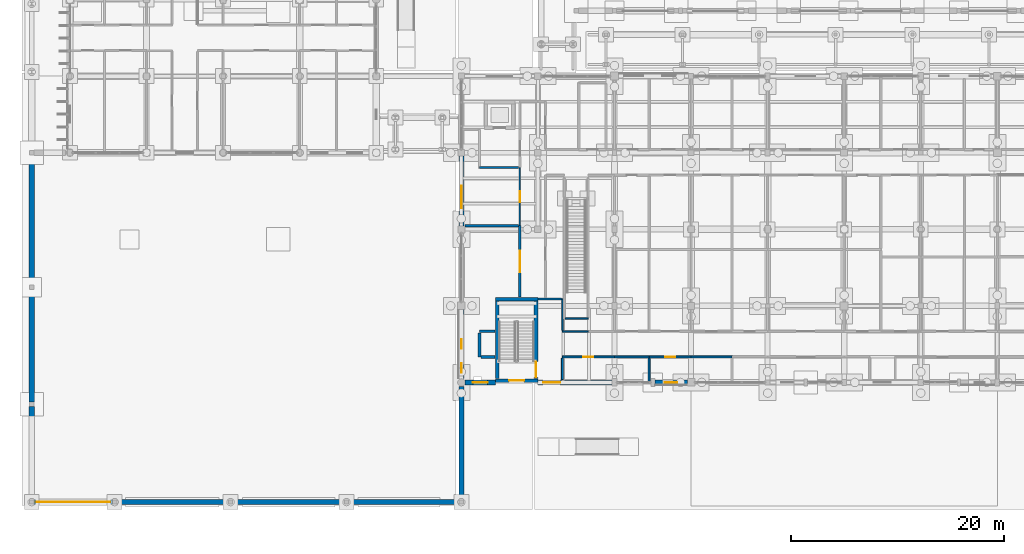
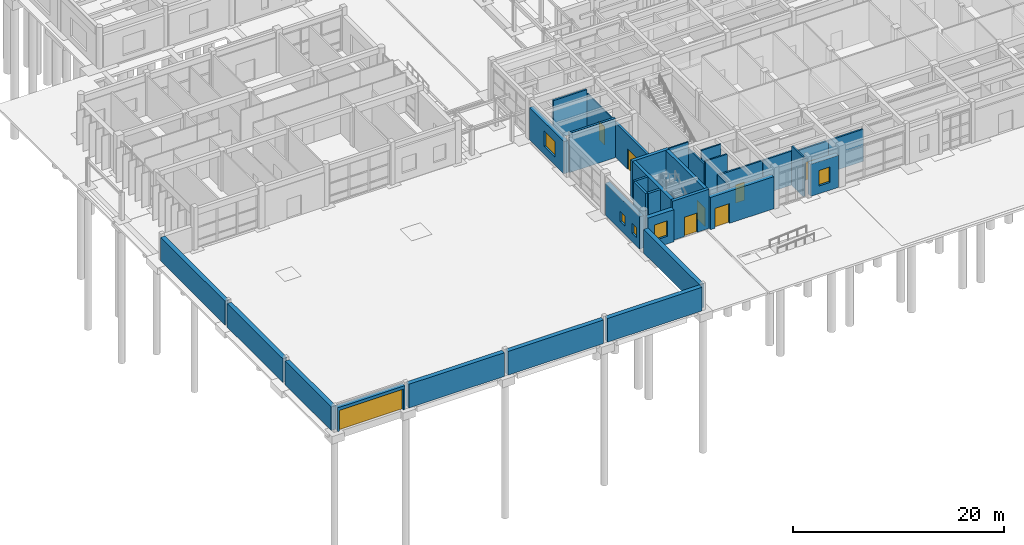
# One storey, part 94 of 143: 34 walls, 8 doors, 5 windows, 13 openings.
"""IFC4 building model written with IfcOpenShell, lengths in metres."""

from ifc_helpers import new_model, si_unit, direction, frame, frame_2d, origin, place, context, subcontext, project, spatial, rectangle, extrude, material, layer, layer_set, type_object, element, fill, save


model = new_model("IFC4")

# Units and contexts
model_context = context("Model", 3, precision=1e-05, world=origin(), true_north=direction((0.0, 1.0)))
body_context = subcontext(model_context, "Body", "Model", "MODEL_VIEW")
ifc_project = project(units=[si_unit("LENGTHUNIT", "METRE"), si_unit("AREAUNIT", "SQUARE_METRE"), si_unit("VOLUMEUNIT", "CUBIC_METRE"), si_unit("PLANEANGLEUNIT", "RADIAN"), si_unit("MASSUNIT", "GRAM", prefix="KILO")], contexts=[model_context])

# Site, building, storey
site_placement = place(None, origin())
site = spatial("IfcSite", under=ifc_project, at=site_placement, CompositionType="ELEMENT")
building_placement = place(site_placement, origin())
building = spatial("IfcBuilding", under=site, at=building_placement, Name="Steenspoor Specialist Clinic", CompositionType="ELEMENT")
storey_placement = place(building_placement, origin())
storey = spatial("IfcBuildingStorey", under=building, at=storey_placement, Name="L00", CompositionType="ELEMENT", Elevation=0.0)

# Wall, opening, window
ifc_material_1 = material(Name="Volcanic basalt ashlar masonry", Category="masonry")
ifc_layer_1 = layer(ifc_material_1, 0.47998046875)
ifc_layer_set_1 = layer_set([ifc_layer_1], Name="Volcanic basalt ashlar masonry")
wall_type_1 = type_object("IfcWallType", Name="W-BASALT-480", PredefinedType="SOLIDWALL", material=ifc_layer_set_1)
wall_1_placement = place(storey_placement, frame((66.449951171875, 13.050048828125, 0.0), z_axis=(0.0, 0.0, 1.0), x_axis=(-1.0, 0.0, 0.0)))
wall_1 = element("IfcWall", 1, at=wall_1_placement, inside=storey, type_object=wall_type_1, Name="Exterior Brick Wall EW-V1-L00-0006", PredefinedType="SOLIDWALL", context=body_context, shape_type="SweptSolid", body=[
    extrude(rectangle(XDim=3.06005859375, YDim=0.47998046875, at=frame_2d((1.530029296875, 0.0))), origin(), (0.0, 0.0, 1.0), 3.72998046875),
])
opening_1_placement = place(wall_1_placement, frame((0.929931640625, 0.0, 0.89990234375)))
opening_1 = element("IfcOpeningElement", 2, at=opening_1_placement, cuts=wall_1, Name="Opening WN-05", PredefinedType="OPENING", context=body_context, shape_type="SweptSolid", body=[
    extrude(rectangle(XDim=1.199951171875, YDim=1.800048828125, at=frame_2d((0.60009765625, 0.89990234375))), frame((0.0, 0.25, 0.0), z_axis=(0.0, -1.0, 0.0), x_axis=(1.0, 0.0, 0.0)), (0.0, 0.0, 1.0), 0.5),
])
ifc_material_2 = material(Name="Thermally broken aluminium and low-emissivity glass", Category="aluminium")
window_type_1 = type_object("IfcWindowType", Name="WN-EXT-120X180", PartitioningType="SINGLE_PANEL", PredefinedType="WINDOW", material=ifc_material_2)
window_1_placement = place(opening_1_placement, origin())
window_1 = element("IfcWindow", 3, at=window_1_placement, inside=storey, type_object=window_type_1, Name="Window 0005", OverallHeight=1.800048828125, OverallWidth=1.199951171875, PartitioningType="SINGLE_PANEL", PredefinedType="WINDOW", context=body_context, shape_type="SweptSolid", body=[
    extrude(rectangle(XDim=1.199951171875, YDim=1.800048828125, at=frame_2d((0.60009765625, 0.89990234375))), frame((0.0, 0.030029296875, 0.0), z_axis=(0.0, -1.0, 0.0), x_axis=(1.0, 0.0, 0.0)), (0.0, 0.0, 1.0), 0.06005859375),
])
fill(opening_1, window_1)

# Wall, opening, door
wall_2_placement = place(storey_placement, frame((59.35009765625, 13.050048828125, 0.0), z_axis=(0.0, 0.0, 1.0), x_axis=(-1.0, 0.0, 0.0)))
wall_2 = element("IfcWall", 4, at=wall_2_placement, inside=storey, type_object=wall_type_1, Name="Exterior Brick Wall EW-V1-L00-0007", PredefinedType="SOLIDWALL", context=body_context, shape_type="SweptSolid", body=[
    extrude(rectangle(XDim=6.9501953125, YDim=0.47998046875, at=frame_2d((3.47509765625, 0.0))), origin(), (0.0, 0.0, 1.0), 3.72998046875),
])
opening_2_placement = place(wall_2_placement, frame((4.85498046875, 0.0, 0.0)))
opening_2 = element("IfcOpeningElement", 5, at=opening_2_placement, cuts=wall_2, Name="Opening ED13", PredefinedType="OPENING", context=body_context, shape_type="SweptSolid", body=[
    extrude(rectangle(XDim=1.60009765625, YDim=2.300048828125, at=frame_2d((0.800048828125, 1.14990234375))), frame((0.0, 0.25, 0.0), z_axis=(0.0, -1.0, 0.0), x_axis=(1.0, 0.0, 0.0)), (0.0, 0.0, 1.0), 0.5),
])
ifc_material_3 = material(Name="Anodised aluminium and safety glass", Category="aluminium")
door_type_1 = type_object("IfcDoorType", Name="DT-EXIT-160X230", OperationType="NOTDEFINED", PredefinedType="DOOR", material=ifc_material_3)
door_1_placement = place(opening_2_placement, origin())
door_1 = element("IfcDoor", 6, at=door_1_placement, inside=storey, type_object=door_type_1, Name="Main Pedestrian Entrance Exit ED13", OperationType="DOUBLE_DOOR_SINGLE_SWING", OverallHeight=2.300048828125, OverallWidth=1.60009765625, PredefinedType="DOOR", context=body_context, shape_type="SweptSolid", body=[
    extrude(rectangle(XDim=1.60009765625, YDim=2.300048828125, at=frame_2d((0.800048828125, 1.14990234375))), frame((0.0, 0.02490234375, 0.0), z_axis=(0.0, -1.0, 0.0), x_axis=(1.0, 0.0, 0.0)), (0.0, 0.0, 1.0), 0.050048828125),
])
fill(opening_2, door_1)

# Wall, opening, window
wall_3_placement = place(storey_placement, frame((48.39990234375, 13.050048828125, 0.0), z_axis=(0.0, 0.0, 1.0), x_axis=(-1.0, 0.0, 0.0)))
wall_3 = element("IfcWall", 7, at=wall_3_placement, inside=storey, type_object=wall_type_1, Name="Exterior Brick Wall EW-V1-L00-0008", PredefinedType="SOLIDWALL", context=body_context, shape_type="SweptSolid", body=[
    extrude(rectangle(XDim=2.849853515625, YDim=0.47998046875, at=frame_2d((1.4248046875, 0.0))), origin(), (0.0, 0.0, 1.0), 3.72998046875),
])
opening_3_placement = place(wall_3_placement, frame((0.72509765625, 0.0, 0.89990234375)))
opening_3 = element("IfcOpeningElement", 8, at=opening_3_placement, cuts=wall_3, Name="Opening WN-06", PredefinedType="OPENING", context=body_context, shape_type="SweptSolid", body=[
    extrude(rectangle(XDim=1.39990234375, YDim=1.800048828125, at=frame_2d((0.699951171875, 0.89990234375))), frame((0.0, 0.25, 0.0), z_axis=(0.0, -1.0, 0.0), x_axis=(1.0, 0.0, 0.0)), (0.0, 0.0, 1.0), 0.5),
])
window_type_2 = type_object("IfcWindowType", Name="WN-EXT-140X180", PartitioningType="SINGLE_PANEL", PredefinedType="WINDOW", material=ifc_material_2)
window_2_placement = place(opening_3_placement, origin())
window_2 = element("IfcWindow", 9, at=window_2_placement, inside=storey, type_object=window_type_2, Name="Window 0006", OverallHeight=1.800048828125, OverallWidth=1.39990234375, PartitioningType="SINGLE_PANEL", PredefinedType="WINDOW", context=body_context, shape_type="SweptSolid", body=[
    extrude(rectangle(XDim=1.39990234375, YDim=1.800048828125, at=frame_2d((0.699951171875, 0.89990234375))), frame((0.0, 0.030029296875, 0.0), z_axis=(0.0, -1.0, 0.0), x_axis=(1.0, 0.0, 0.0)), (0.0, 0.0, 1.0), 0.06005859375),
])
fill(opening_3, window_2)

# Wall, openings, windows
wall_4_placement = place(storey_placement, frame((45.199951171875, 13.39990234375, 0.0), z_axis=(0.0, 0.0, 1.0), x_axis=(0.0, 1.0, 0.0)))
wall_4 = element("IfcWall", 10, at=wall_4_placement, inside=storey, type_object=wall_type_1, Name="Exterior Brick Wall EW-V1-L00-0009", PredefinedType="SOLIDWALL", context=body_context, shape_type="SweptSolid", body=[
    extrude(rectangle(XDim=6.5, YDim=0.47998046875, at=frame_2d((3.25, 0.0))), origin(), (0.0, 0.0, 1.0), 3.72998046875),
])
opening_4_placement = place(wall_4_placement, frame((0.56494140625, 0.0, 0.949951171875)))
opening_4 = element("IfcOpeningElement", 11, at=opening_4_placement, cuts=wall_4, Name="Opening WN-21", PredefinedType="OPENING", context=body_context, shape_type="SweptSolid", body=[
    extrude(rectangle(XDim=0.89990234375, YDim=1.199951171875, at=frame_2d((0.449951171875, 0.60009765625))), frame((0.0, 0.25, 0.0), z_axis=(0.0, -1.0, 0.0), x_axis=(1.0, 0.0, 0.0)), (0.0, 0.0, 1.0), 0.5),
])
opening_5_placement = place(wall_4_placement, frame((2.800048828125, 0.0, 0.949951171875)))
opening_5 = element("IfcOpeningElement", 12, at=opening_5_placement, cuts=wall_4, Name="Opening WN-21", PredefinedType="OPENING", context=body_context, shape_type="SweptSolid", body=[
    extrude(rectangle(XDim=0.89990234375, YDim=1.199951171875, at=frame_2d((0.449951171875, 0.60009765625))), frame((0.0, 0.25, 0.0), z_axis=(0.0, -1.0, 0.0), x_axis=(1.0, 0.0, 0.0)), (0.0, 0.0, 1.0), 0.5),
])
window_type_3 = type_object("IfcWindowType", Name="WN-EXT-090X120", PartitioningType="SINGLE_PANEL", PredefinedType="WINDOW", material=ifc_material_2)
window_3_placement = place(opening_4_placement, origin())
window_3 = element("IfcWindow", 13, at=window_3_placement, inside=storey, type_object=window_type_3, Name="Window 0007", OverallHeight=1.199951171875, OverallWidth=0.89990234375, PartitioningType="SINGLE_PANEL", PredefinedType="WINDOW", context=body_context, shape_type="SweptSolid", body=[
    extrude(rectangle(XDim=0.89990234375, YDim=1.199951171875, at=frame_2d((0.449951171875, 0.60009765625))), frame((0.0, 0.030029296875, 0.0), z_axis=(0.0, -1.0, 0.0), x_axis=(1.0, 0.0, 0.0)), (0.0, 0.0, 1.0), 0.06005859375),
])
fill(opening_4, window_3)
window_4_placement = place(opening_5_placement, origin())
window_4 = element("IfcWindow", 14, at=window_4_placement, inside=storey, type_object=window_type_3, Name="Window 0008", OverallHeight=1.199951171875, OverallWidth=0.89990234375, PartitioningType="SINGLE_PANEL", PredefinedType="WINDOW", context=body_context, shape_type="SweptSolid", body=[
    extrude(rectangle(XDim=0.89990234375, YDim=1.199951171875, at=frame_2d((0.449951171875, 0.60009765625))), frame((0.0, 0.030029296875, 0.0), z_axis=(0.0, -1.0, 0.0), x_axis=(1.0, 0.0, 0.0)), (0.0, 0.0, 1.0), 0.06005859375),
])
fill(opening_5, window_4)

# Wall, opening, window
wall_5_placement = place(storey_placement, frame((45.199951171875, 27.77490234375, 0.0), z_axis=(0.0, 0.0, 1.0), x_axis=(0.0, 1.0, 0.0)))
wall_5 = element("IfcWall", 15, at=wall_5_placement, inside=storey, type_object=wall_type_1, Name="Exterior Brick Wall EW-V1-L00-0010", PredefinedType="SOLIDWALL", context=body_context, shape_type="SweptSolid", body=[
    extrude(rectangle(XDim=6.5751953125, YDim=0.47998046875, at=frame_2d((3.28759765625, 0.0))), origin(), (0.0, 0.0, 1.0), 3.72998046875),
])
opening_6_placement = place(wall_5_placement, frame((1.677490234375, 0.0, 0.89990234375)))
opening_6 = element("IfcOpeningElement", 16, at=opening_6_placement, cuts=wall_5, Name="Opening WN-09", PredefinedType="OPENING", context=body_context, shape_type="SweptSolid", body=[
    extrude(rectangle(XDim=2.10009765625, YDim=1.800048828125, at=frame_2d((1.050048828125, 0.89990234375))), frame((0.0, 0.25, 0.0), z_axis=(0.0, -1.0, 0.0), x_axis=(1.0, 0.0, 0.0)), (0.0, 0.0, 1.0), 0.5),
])
window_type_4 = type_object("IfcWindowType", Name="WN-EXT-210X180", PartitioningType="SINGLE_PANEL", PredefinedType="WINDOW", material=ifc_material_2)
window_5_placement = place(opening_6_placement, origin())
window_5 = element("IfcWindow", 17, at=window_5_placement, inside=storey, type_object=window_type_4, Name="Window 0009", OverallHeight=1.800048828125, OverallWidth=2.10009765625, PartitioningType="SINGLE_PANEL", PredefinedType="WINDOW", context=body_context, shape_type="SweptSolid", body=[
    extrude(rectangle(XDim=2.10009765625, YDim=1.800048828125, at=frame_2d((1.050048828125, 0.89990234375))), frame((0.0, 0.030029296875, 0.0), z_axis=(0.0, -1.0, 0.0), x_axis=(1.0, 0.0, 0.0)), (0.0, 0.0, 1.0), 0.06005859375),
])
fill(opening_6, window_5)

# Walls
wall_6_placement = place(storey_placement, frame((4.800048828125, 34.43994140625, 0.0), z_axis=(0.0, 0.0, 1.0), x_axis=(0.0, -1.0, 0.0)))
element("IfcWall", 18, at=wall_6_placement, inside=storey, type_object=wall_type_1, Name="Campus Courtyard Screen Wall YW-SW-02", PredefinedType="SOLIDWALL", context=body_context, shape_type="SweptSolid", body=[
    extrude(rectangle(XDim=12.22998046875, YDim=0.47998046875, at=frame_2d((6.114990234375, 0.0))), origin(), (0.0, 0.0, 1.0), 2.75),
])
wall_7_placement = place(storey_placement, frame((4.800048828125, 21.7900390625, 0.0), z_axis=(0.0, 0.0, 1.0), x_axis=(0.0, -1.0, 0.0)))
element("IfcWall", 19, at=wall_7_placement, inside=storey, type_object=wall_type_1, Name="Campus Courtyard Screen Wall YW-SW-03", PredefinedType="SOLIDWALL", context=body_context, shape_type="SweptSolid", body=[
    extrude(rectangle(XDim=10.580078125, YDim=0.47998046875, at=frame_2d((5.2900390625, 0.0))), origin(), (0.0, 0.0, 1.0), 2.75),
])
wall_8_placement = place(storey_placement, frame((4.800048828125, 10.7900390625, 0.0), z_axis=(0.0, 0.0, 1.0), x_axis=(0.0, -1.0, 0.0)))
element("IfcWall", 20, at=wall_8_placement, inside=storey, type_object=wall_type_1, Name="Campus Courtyard Screen Wall YW-SW-04", PredefinedType="SOLIDWALL", context=body_context, shape_type="SweptSolid", body=[
    extrude(rectangle(XDim=8.780029296875, YDim=0.47998046875, at=frame_2d((4.39013671875, 0.0))), origin(), (0.0, 0.0, 1.0), 2.75),
])
for number, where, z_axis, x_axis, name in (
    (21, (12.81005859375, 1.800048828125, 0.0), (0.0, 0.0, 1.0), (1.0, 0.0, 0.0), "Campus Courtyard Screen Wall YW-SW-05"),
    (22, (23.7099609375, 1.800048828125, 0.0), (0.0, 0.0, 1.0), (1.0, 0.0, 0.0), "Campus Courtyard Screen Wall YW-SW-06"),
):
    element("IfcWall", number, at=place(storey_placement, frame(where, z_axis=z_axis, x_axis=x_axis)), inside=storey, type_object=wall_type_1, Name=name, PredefinedType="SOLIDWALL", context=body_context, shape_type="SweptSolid", body=[
        extrude(rectangle(XDim=10.47998046875, YDim=0.47998046875, at=frame_2d((5.239990234375, 0.0))), origin(), (0.0, 0.0, 1.0), 2.75),
    ])
wall_9_placement = place(storey_placement, frame((34.610107421875, 1.800048828125, 0.0), z_axis=(0.0, 0.0, 1.0), x_axis=(1.0, 0.0, 0.0)))
element("IfcWall", 23, at=wall_9_placement, inside=storey, type_object=wall_type_1, Name="Campus Courtyard Screen Wall YW-SW-07", PredefinedType="SOLIDWALL", context=body_context, shape_type="SweptSolid", body=[
    extrude(rectangle(XDim=10.3798828125, YDim=0.47998046875, at=frame_2d((5.18994140625, 0.0))), origin(), (0.0, 0.0, 1.0), 2.75),
])
wall_10_placement = place(storey_placement, frame((45.199951171875, 2.010009765625, 0.0), z_axis=(0.0, 0.0, 1.0), x_axis=(0.0, 1.0, 0.0)))
element("IfcWall", 24, at=wall_10_placement, inside=storey, type_object=wall_type_1, Name="Campus Courtyard Screen Wall YW-SW-08", PredefinedType="SOLIDWALL", context=body_context, shape_type="SweptSolid", body=[
    extrude(rectangle(XDim=10.639892578125, YDim=0.47998046875, at=frame_2d((5.31982421875, 0.0))), origin(), (0.0, 0.0, 1.0), 2.75),
])

# Wall, opening, door
wall_11_placement = place(storey_placement, frame((5.0048828125, 1.800048828125, 0.0), z_axis=(0.0, 0.0, 1.0), x_axis=(1.0, 0.0, 0.0)))
wall_11 = element("IfcWall", 25, at=wall_11_placement, inside=storey, type_object=wall_type_1, Name="Portal Basalt Wall GT01", PredefinedType="SOLIDWALL", context=body_context, shape_type="SweptSolid", body=[
    extrude(rectangle(XDim=7.39013671875, YDim=0.47998046875, at=frame_2d((3.695068359375, 0.0))), origin(), (0.0, 0.0, 1.0), 2.75),
])
opening_7_placement = place(wall_11_placement, frame((0.195068359375, 0.0, 0.0)))
opening_7 = element("IfcOpeningElement", 26, at=opening_7_placement, cuts=wall_11, Name="Opening GT01", PredefinedType="OPENING", context=body_context, shape_type="SweptSolid", body=[
    extrude(rectangle(XDim=7.0, YDim=2.39990234375, at=frame_2d((3.5, 1.199951171875))), frame((0.0, 0.25, 0.0), z_axis=(0.0, -1.0, 0.0), x_axis=(1.0, 0.0, 0.0)), (0.0, 0.0, 1.0), 0.5),
])
ifc_material_4 = material(Name="Painted wrought-iron steel gate", Category="steel")
door_type_2 = type_object("IfcDoorType", Name="DT-GATE-700X240", OperationType="NOTDEFINED", PredefinedType="GATE", material=ifc_material_4)
door_2_placement = place(opening_7_placement, origin())
door_2 = element("IfcDoor", 27, at=door_2_placement, inside=storey, type_object=door_type_2, Name="Vehicle Entrance Gate GT01", OperationType="DOUBLE_DOOR_SINGLE_SWING", OverallHeight=2.39990234375, OverallWidth=7.0, PredefinedType="GATE", context=body_context, shape_type="SweptSolid", body=[
    extrude(rectangle(XDim=7.0, YDim=2.39990234375, at=frame_2d((3.5, 1.199951171875))), frame((0.0, 0.02490234375, 0.0), z_axis=(0.0, -1.0, 0.0), x_axis=(1.0, 0.0, 0.0)), (0.0, 0.0, 1.0), 0.050048828125),
])
fill(opening_7, door_2)

# Walls
ifc_material_5 = material(Name="Gypsum acoustic clinical partition", Category="gypsum")
ifc_layer_2 = layer(ifc_material_5, 0.14990234375)
ifc_layer_set_2 = layer_set([ifc_layer_2], Name="Gypsum acoustic clinical partition")
wall_type_2 = type_object("IfcWallType", Name="W-CLIN-150", PredefinedType="PARTITIONING", material=ifc_layer_set_2)
wall_12_placement = place(storey_placement, frame((54.699951171875, 17.85009765625, 0.0), z_axis=(0.0, 0.0, 1.0), x_axis=(1.0, 0.0, 0.0)))
element("IfcWall", 28, at=wall_12_placement, inside=storey, type_object=wall_type_2, Name="Interior Partition IW-V1-L00-0168", PredefinedType="PARTITIONING", context=body_context, shape_type="SweptSolid", body=[
    extrude(rectangle(XDim=2.41015625, YDim=0.14990234375, at=frame_2d((1.205078125, 0.0))), origin(), (0.0, 0.0, 1.0), 4.114990234375),
])
wall_13_placement = place(storey_placement, frame((54.699951171875, 17.93994140625, 0.0), z_axis=(0.0, 0.0, 1.0), x_axis=(0.0, 1.0, 0.0)))
element("IfcWall", 29, at=wall_13_placement, inside=storey, type_object=wall_type_2, Name="Interior Partition IW-V1-L00-0169", PredefinedType="PARTITIONING", context=body_context, shape_type="SweptSolid", body=[
    extrude(rectangle(XDim=2.9599609375, YDim=0.14990234375, at=frame_2d((1.47998046875, 0.0))), origin(), (0.0, 0.0, 1.0), 3.735107421875),
])
wall_14_placement = place(storey_placement, frame((52.4150390625, 20.89990234375, 0.0), z_axis=(0.0, 0.0, 1.0), x_axis=(1.0, 0.0, 0.0)))
element("IfcWall", 30, at=wall_14_placement, inside=storey, type_object=wall_type_2, Name="Interior Partition IW-V1-L00-0170", PredefinedType="PARTITIONING", context=body_context, shape_type="SweptSolid", body=[
    extrude(rectangle(XDim=2.195068359375, YDim=0.14990234375, at=frame_2d((1.09765625, 0.0))), origin(), (0.0, 0.0, 1.0), 4.550048828125),
])
wall_15_placement = place(storey_placement, frame((54.965087890625, 19.050048828125, 0.0), z_axis=(0.0, 0.0, 1.0), x_axis=(1.0, 0.0, 0.0)))
element("IfcWall", 31, at=wall_15_placement, inside=storey, type_object=wall_type_2, Name="Interior Partition IW-V1-L00-0547", PredefinedType="PARTITIONING", context=body_context, shape_type="SweptSolid", body=[
    extrude(rectangle(XDim=2.159912109375, YDim=0.14990234375, at=frame_2d((1.080078125, 0.0))), origin(), (0.0, 0.0, 1.0), 4.550048828125),
])

# Wall, opening, door
ifc_material_6 = material(Name="Concrete C40/50", Category="concrete")
ifc_layer_3 = layer(ifc_material_6, 0.330078125)
ifc_layer_set_3 = layer_set([ifc_layer_3], Name="Concrete C40/50")
wall_type_3 = type_object("IfcWallType", Name="W-ESW-330", PredefinedType="SHEAR", material=ifc_layer_set_3)
wall_16_placement = place(storey_placement, frame((52.39990234375, 13.22509765625, 0.0), z_axis=(0.0, 0.0, 1.0), x_axis=(-1.0, 0.0, 0.0)))
wall_16 = element("IfcWall", 32, at=wall_16_placement, inside=storey, type_object=wall_type_3, Name="Core Shear Wall SW-ST-V1A-L00-S", PredefinedType="SHEAR", context=body_context, shape_type="SweptSolid", body=[
    extrude(rectangle(XDim=4.0, YDim=0.330078125, at=frame_2d((2.0, 0.0))), origin(), (0.0, 0.0, 1.0), 4.550048828125),
])
opening_8_placement = place(wall_16_placement, frame((1.300048828125, 0.0, 0.0)))
opening_8 = element("IfcOpeningElement", 33, at=opening_8_placement, cuts=wall_16, Name="Opening ED01", PredefinedType="OPENING", context=body_context, shape_type="SweptSolid", body=[
    extrude(rectangle(XDim=1.39990234375, YDim=2.25, at=frame_2d((0.699951171875, 1.125))), frame((0.0, 0.175048828125, 0.0), z_axis=(0.0, -1.0, 0.0), x_axis=(1.0, 0.0, 0.0)), (0.0, 0.0, 1.0), 0.35009765625),
])
ifc_material_7 = material(Name="Painted galvanised steel door", Category="steel")
door_type_3 = type_object("IfcDoorType", Name="DT-EXIT-140X225", OperationType="NOTDEFINED", PredefinedType="DOOR", material=ifc_material_7)
door_3_placement = place(opening_8_placement, origin())
door_3 = element("IfcDoor", 34, at=door_3_placement, inside=storey, type_object=door_type_3, Name="Exit Stair Discharge Door ED01", OperationType="SINGLE_SWING_LEFT", OverallHeight=2.25, OverallWidth=1.39990234375, PredefinedType="DOOR", context=body_context, shape_type="SweptSolid", body=[
    extrude(rectangle(XDim=1.39990234375, YDim=2.25, at=frame_2d((0.699951171875, 1.125))), frame((0.0, 0.02490234375, 0.0), z_axis=(0.0, -1.0, 0.0), x_axis=(1.0, 0.0, 0.0)), (0.0, 0.0, 1.0), 0.050048828125),
])
fill(opening_8, door_3)

ifc_material_8 = material(Name="Gypsum studio partition board", Category="gypsum")
ifc_layer_4 = layer(ifc_material_8, 0.1201171875)
ifc_layer_set_4 = layer_set([ifc_layer_4], Name="Gypsum studio partition board")
wall_type_4 = type_object("IfcWallType", Name="W-PART-120", PredefinedType="PARTITIONING", material=ifc_layer_set_4)
wall_17_placement = place(storey_placement, frame((50.699951171875, 27.81494140625, 0.0), z_axis=(0.0, 0.0, 1.0), x_axis=(0.0, 1.0, 0.0)))
wall_17 = element("IfcWall", 35, at=wall_17_placement, inside=storey, type_object=wall_type_4, Name="Interior Partition IW-V1-L00-0301", PredefinedType="PARTITIONING", context=body_context, shape_type="SweptSolid", body=[
    extrude(rectangle(XDim=5.420166015625, YDim=0.1201171875, at=frame_2d((2.7099609375, 0.0))), origin(), (0.0, 0.0, 1.0), 4.074951171875),
])
opening_9_placement = place(wall_17_placement, frame((2.18505859375, 0.0, 0.0)))
opening_9 = element("IfcOpeningElement", 36, at=opening_9_placement, cuts=wall_17, Name="Opening D0034", PredefinedType="OPENING", context=body_context, shape_type="SweptSolid", body=[
    extrude(rectangle(XDim=1.050048828125, YDim=2.14990234375, at=frame_2d((0.52490234375, 1.074951171875))), frame((0.0, 0.070068359375, 0.0), z_axis=(0.0, -1.0, 0.0), x_axis=(1.0, 0.0, 0.0)), (0.0, 0.0, 1.0), 0.14013671875),
])
ifc_material_9 = material(Name="Solid-core hardwood office door", Category="wood")
door_type_4 = type_object("IfcDoorType", Name="DT-OFF-105X215", OperationType="NOTDEFINED", PredefinedType="DOOR", material=ifc_material_9)
door_4_placement = place(opening_9_placement, origin())
door_4 = element("IfcDoor", 37, at=door_4_placement, inside=storey, type_object=door_type_4, Name="Clinical Door D0034", OperationType="SINGLE_SWING_LEFT", OverallHeight=2.14990234375, OverallWidth=1.050048828125, PredefinedType="DOOR", context=body_context, shape_type="SweptSolid", body=[
    extrude(rectangle(XDim=1.050048828125, YDim=2.14990234375, at=frame_2d((0.52490234375, 1.074951171875))), frame((0.0, 0.02490234375, 0.0), z_axis=(0.0, -1.0, 0.0), x_axis=(1.0, 0.0, 0.0)), (0.0, 0.0, 1.0), 0.050048828125),
])
fill(opening_9, door_4)

ifc_material_10 = material(Name="Moisture-resistant gypsum plumbing wall", Category="gypsum")
ifc_layer_5 = layer(ifc_material_10, 0.179931640625)
ifc_layer_set_5 = layer_set([ifc_layer_5], Name="Moisture-resistant gypsum plumbing wall")
wall_type_5 = type_object("IfcWallType", Name="W-PLUMB-180", PredefinedType="PLUMBINGWALL", material=ifc_layer_set_5)
wall_18_placement = place(storey_placement, frame((54.699951171875, 15.449951171875, 0.0), z_axis=(0.0, 0.0, 1.0), x_axis=(1.0, 0.0, 0.0)))
wall_18 = element("IfcWall", 38, at=wall_18_placement, inside=storey, type_object=wall_type_5, Name="Interior Partition IW-V1-L00-0111", PredefinedType="PLUMBINGWALL", context=body_context, shape_type="SweptSolid", body=[
    extrude(rectangle(XDim=4.900146484375, YDim=0.179931640625, at=frame_2d((2.4501953125, 0.0))), origin(), (0.0, 0.0, 1.0), 3.955078125),
])
opening_10_placement = place(wall_18_placement, frame((1.97509765625, 0.0, 0.0)))
opening_10 = element("IfcOpeningElement", 39, at=opening_10_placement, cuts=wall_18, Name="Opening D0003", PredefinedType="OPENING", context=body_context, shape_type="SweptSolid", body=[
    extrude(rectangle(XDim=0.949951171875, YDim=2.10009765625, at=frame_2d((0.47509765625, 1.050048828125))), frame((0.0, 0.10009765625, 0.0), z_axis=(0.0, -1.0, 0.0), x_axis=(1.0, 0.0, 0.0)), (0.0, 0.0, 1.0), 0.199951171875),
])
ifc_material_11 = material(Name="Moisture-resistant HPL sanitary door", Category="wood")
door_type_5 = type_object("IfcDoorType", Name="DT-WC-095X210", OperationType="NOTDEFINED", PredefinedType="DOOR", material=ifc_material_11)
door_5_placement = place(opening_10_placement, origin())
door_5 = element("IfcDoor", 40, at=door_5_placement, inside=storey, type_object=door_type_5, Name="Clinical Door D0003", OperationType="SINGLE_SWING_RIGHT", OverallHeight=2.10009765625, OverallWidth=0.949951171875, PredefinedType="DOOR", context=body_context, shape_type="SweptSolid", body=[
    extrude(rectangle(XDim=0.949951171875, YDim=2.10009765625, at=frame_2d((0.47509765625, 1.050048828125))), frame((0.0, 0.02490234375, 0.0), z_axis=(0.0, -1.0, 0.0), x_axis=(1.0, 0.0, 0.0)), (0.0, 0.0, 1.0), 0.050048828125),
])
fill(opening_10, door_5)

# Walls
wall_19_placement = place(storey_placement, frame((59.614990234375, 15.449951171875, 0.0), z_axis=(0.0, 0.0, 1.0), x_axis=(1.0, 0.0, 0.0)))
element("IfcWall", 41, at=wall_19_placement, inside=storey, type_object=wall_type_5, Name="Interior Partition IW-V1-L00-0112", PredefinedType="PLUMBINGWALL", context=body_context, shape_type="SweptSolid", body=[
    extrude(rectangle(XDim=3.235107421875, YDim=0.179931640625, at=frame_2d((1.61767578125, 0.0))), origin(), (0.0, 0.0, 1.0), 3.955078125),
])
wall_20_placement = place(storey_placement, frame((54.699951171875, 13.304931640625, 0.0), z_axis=(0.0, 0.0, 1.0), x_axis=(0.0, 1.0, 0.0)))
element("IfcWall", 42, at=wall_20_placement, inside=storey, type_object=wall_type_5, Name="Interior Partition IW-V1-L00-0113", PredefinedType="PLUMBINGWALL", context=body_context, shape_type="SweptSolid", body=[
    extrude(rectangle(XDim=2.0400390625, YDim=0.179931640625, at=frame_2d((1.02001953125, 0.0))), origin(), (0.0, 0.0, 1.0), 4.114990234375),
])

# Wall, opening, door
wall_21_placement = place(storey_placement, frame((62.864990234375, 15.449951171875, 0.0), z_axis=(0.0, 0.0, 1.0), x_axis=(1.0, 0.0, 0.0)))
wall_21 = element("IfcWall", 43, at=wall_21_placement, inside=storey, type_object=wall_type_5, Name="Interior Partition IW-V1-L00-0114", PredefinedType="PLUMBINGWALL", context=body_context, shape_type="SweptSolid", body=[
    extrude(rectangle(XDim=3.93505859375, YDim=0.179931640625, at=frame_2d((1.967529296875, 0.0))), origin(), (0.0, 0.0, 1.0), 3.735107421875),
])
opening_11_placement = place(wall_21_placement, frame((1.492431640625, 0.0, 0.0)))
opening_11 = element("IfcOpeningElement", 44, at=opening_11_placement, cuts=wall_21, Name="Opening D0004", PredefinedType="OPENING", context=body_context, shape_type="SweptSolid", body=[
    extrude(rectangle(XDim=0.949951171875, YDim=2.10009765625, at=frame_2d((0.47509765625, 1.050048828125))), frame((0.0, 0.10009765625, 0.0), z_axis=(0.0, -1.0, 0.0), x_axis=(1.0, 0.0, 0.0)), (0.0, 0.0, 1.0), 0.199951171875),
])
door_6_placement = place(opening_11_placement, origin())
door_6 = element("IfcDoor", 45, at=door_6_placement, inside=storey, type_object=door_type_5, Name="Clinical Door D0004", OperationType="SINGLE_SWING_LEFT", OverallHeight=2.10009765625, OverallWidth=0.949951171875, PredefinedType="DOOR", context=body_context, shape_type="SweptSolid", body=[
    extrude(rectangle(XDim=0.949951171875, YDim=2.10009765625, at=frame_2d((0.47509765625, 1.050048828125))), frame((0.0, 0.02490234375, 0.0), z_axis=(0.0, -1.0, 0.0), x_axis=(1.0, 0.0, 0.0)), (0.0, 0.0, 1.0), 0.050048828125),
])
fill(opening_11, door_6)

# Walls
wall_22_placement = place(storey_placement, frame((66.81494140625, 15.449951171875, 0.0), z_axis=(0.0, 0.0, 1.0), x_axis=(1.0, 0.0, 0.0)))
element("IfcWall", 46, at=wall_22_placement, inside=storey, type_object=wall_type_5, Name="Interior Partition IW-V1-L00-0115", PredefinedType="PLUMBINGWALL", context=body_context, shape_type="SweptSolid", body=[
    extrude(rectangle(XDim=3.8349609375, YDim=0.179931640625, at=frame_2d((1.91748046875, 0.0))), origin(), (0.0, 0.0, 1.0), 3.735107421875),
])
wall_23_placement = place(storey_placement, frame((62.85009765625, 13.155029296875, 0.0), z_axis=(0.0, 0.0, 1.0), x_axis=(0.0, 1.0, 0.0)))
element("IfcWall", 47, at=wall_23_placement, inside=storey, type_object=wall_type_5, Name="Interior Partition IW-V1-L00-0478", PredefinedType="PLUMBINGWALL", context=body_context, shape_type="SweptSolid", body=[
    extrude(rectangle(XDim=2.18994140625, YDim=0.179931640625, at=frame_2d((1.094970703125, 0.0))), origin(), (0.0, 0.0, 1.0), 4.550048828125),
])

# Wall, opening, door
ifc_material_12 = material(Name="Fire-rated clay blockwork masonry", Category="masonry")
ifc_layer_6 = layer(ifc_material_12, 0.25)
ifc_layer_set_6 = layer_set([ifc_layer_6], Name="Fire-rated clay blockwork masonry")
wall_type_6 = type_object("IfcWallType", Name="W-SHAFT-250", PredefinedType="PARTITIONING", material=ifc_layer_set_6)
wall_24_placement = place(storey_placement, frame((50.699951171875, 21.06494140625, 0.0), z_axis=(0.0, 0.0, 1.0), x_axis=(0.0, 1.0, 0.0)))
wall_24 = element("IfcWall", 48, at=wall_24_placement, inside=storey, type_object=wall_type_6, Name="Interior Partition IW-V1-L00-0056", PredefinedType="PARTITIONING", context=body_context, shape_type="SweptSolid", body=[
    extrude(rectangle(XDim=6.735107421875, YDim=0.25, at=frame_2d((3.36767578125, 0.0))), origin(), (0.0, 0.0, 1.0), 4.014892578125),
])
opening_12_placement = place(wall_24_placement, frame((2.367431640625, 0.0, 0.0)))
opening_12 = element("IfcOpeningElement", 49, at=opening_12_placement, cuts=wall_24, Name="Opening D0002", PredefinedType="OPENING", context=body_context, shape_type="SweptSolid", body=[
    extrude(rectangle(XDim=2.0, YDim=2.39990234375, at=frame_2d((1.0, 1.199951171875))), frame((0.0, 0.135009765625, 0.0), z_axis=(0.0, -1.0, 0.0), x_axis=(1.0, 0.0, 0.0)), (0.0, 0.0, 1.0), 0.27001953125),
])
ifc_material_13 = material(Name="Fire-rated louvred steel plant door", Category="steel")
door_type_6 = type_object("IfcDoorType", Name="DT-PLANT-200X240", OperationType="NOTDEFINED", PredefinedType="DOOR", material=ifc_material_13)
door_7_placement = place(opening_12_placement, origin())
door_7 = element("IfcDoor", 50, at=door_7_placement, inside=storey, type_object=door_type_6, Name="Clinical Door D0002", OperationType="DOUBLE_DOOR_SINGLE_SWING", OverallHeight=2.39990234375, OverallWidth=2.0, PredefinedType="DOOR", context=body_context, shape_type="SweptSolid", body=[
    extrude(rectangle(XDim=2.0, YDim=2.39990234375, at=frame_2d((1.0, 1.199951171875))), frame((0.0, 0.02490234375, 0.0), z_axis=(0.0, -1.0, 0.0), x_axis=(1.0, 0.0, 0.0)), (0.0, 0.0, 1.0), 0.050048828125),
])
fill(opening_12, door_7)

# Walls
wall_25_placement = place(storey_placement, frame((45.5400390625, 27.800048828125, 0.0), z_axis=(0.0, 0.0, 1.0), x_axis=(1.0, 0.0, 0.0)))
element("IfcWall", 51, at=wall_25_placement, inside=storey, type_object=wall_type_6, Name="Interior Partition IW-V1-L00-0408", PredefinedType="PARTITIONING", context=body_context, shape_type="SweptSolid", body=[
    extrude(rectangle(XDim=5.02001953125, YDim=0.25, at=frame_2d((2.510009765625, 0.0))), origin(), (0.0, 0.0, 1.0), 4.550048828125),
])
wall_26_placement = place(storey_placement, frame((46.89990234375, 17.85009765625, 0.0), z_axis=(0.0, 0.0, 1.0), x_axis=(1.0, 0.0, 0.0)))
element("IfcWall", 52, at=wall_26_placement, inside=storey, type_object=wall_type_6, Name="Interior Partition IW-V1-L00-0409", PredefinedType="PARTITIONING", context=body_context, shape_type="SweptSolid", body=[
    extrude(rectangle(XDim=1.485107421875, YDim=0.25, at=frame_2d((0.74267578125, 0.0))), origin(), (0.0, 0.0, 1.0), 4.550048828125),
])
wall_27_placement = place(storey_placement, frame((46.89990234375, 15.449951171875, 0.0), z_axis=(0.0, 0.0, 1.0), x_axis=(0.0, 1.0, 0.0)))
element("IfcWall", 53, at=wall_27_placement, inside=storey, type_object=wall_type_6, Name="Interior Partition IW-V1-L00-0410", PredefinedType="PARTITIONING", context=body_context, shape_type="SweptSolid", body=[
    extrude(rectangle(XDim=2.260009765625, YDim=0.25, at=frame_2d((1.1298828125, 0.0))), origin(), (0.0, 0.0, 1.0), 4.550048828125),
])
wall_28_placement = place(storey_placement, frame((47.0400390625, 15.449951171875, 0.0), z_axis=(0.0, 0.0, 1.0), x_axis=(1.0, 0.0, 0.0)))
element("IfcWall", 54, at=wall_28_placement, inside=storey, type_object=wall_type_6, Name="Interior Partition IW-V1-L00-0411", PredefinedType="PARTITIONING", context=body_context, shape_type="SweptSolid", body=[
    extrude(rectangle(XDim=1.344970703125, YDim=0.25, at=frame_2d((0.67236328125, 0.0))), origin(), (0.0, 0.0, 1.0), 4.550048828125),
])
ifc_material_14 = material(Name="Gypsum acoustic smoke barrier board", Category="gypsum")
ifc_layer_7 = layer(ifc_material_14, 0.199951171875)
ifc_layer_set_7 = layer_set([ifc_layer_7], Name="Gypsum acoustic smoke barrier board")
wall_type_7 = type_object("IfcWallType", Name="W-SMOKE-200", PredefinedType="PARTITIONING", material=ifc_layer_set_7)
wall_29_placement = place(storey_placement, frame((46.89990234375, 33.25, 0.0), z_axis=(0.0, 0.0, 1.0), x_axis=(1.0, 0.0, 0.0)))
element("IfcWall", 55, at=wall_29_placement, inside=storey, type_object=wall_type_7, Name="Interior Partition IW-V1-L00-0023", PredefinedType="PARTITIONING", context=body_context, shape_type="SweptSolid", body=[
    extrude(rectangle(XDim=3.68505859375, YDim=0.199951171875, at=frame_2d((1.842529296875, 0.0))), origin(), (0.0, 0.0, 1.0), 4.550048828125),
])
ifc_layer_8 = layer(ifc_material_6, 0.35009765625)
ifc_layer_set_8 = layer_set([ifc_layer_8], Name="Concrete C40/50")
wall_type_8 = type_object("IfcWallType", Name="W-SW-350", PredefinedType="SHEAR", material=ifc_layer_set_8)
wall_30_placement = place(storey_placement, frame((48.39990234375, 20.875, 0.0), z_axis=(0.0, 0.0, 1.0), x_axis=(1.0, 0.0, 0.0)))
element("IfcWall", 56, at=wall_30_placement, inside=storey, type_object=wall_type_8, Name="Core Shear Wall SW-ST-V1A-L00-N", PredefinedType="SHEAR", context=body_context, shape_type="SweptSolid", body=[
    extrude(rectangle(XDim=4.0, YDim=0.35009765625, at=frame_2d((2.0, 0.0))), origin(), (0.0, 0.0, 1.0), 4.550048828125),
])
wall_31_placement = place(storey_placement, frame((48.574951171875, 13.39990234375, 0.0), z_axis=(0.0, 0.0, 1.0), x_axis=(0.0, 1.0, 0.0)))
element("IfcWall", 57, at=wall_31_placement, inside=storey, type_object=wall_type_8, Name="Core Shear Wall SW-ST-V1A-L00-W", PredefinedType="SHEAR", context=body_context, shape_type="SweptSolid", body=[
    extrude(rectangle(XDim=7.300048828125, YDim=0.35009765625, at=frame_2d((3.64990234375, 0.0))), origin(), (0.0, 0.0, 1.0), 4.550048828125),
])

# Wall, opening, door
wall_32_placement = place(storey_placement, frame((52.22509765625, 13.39990234375, 0.0), z_axis=(0.0, 0.0, 1.0), x_axis=(0.0, 1.0, 0.0)))
wall_32 = element("IfcWall", 58, at=wall_32_placement, inside=storey, type_object=wall_type_8, Name="Core Shear Wall SW-ST-V1A-L00-E", PredefinedType="SHEAR", context=body_context, shape_type="SweptSolid", body=[
    extrude(rectangle(XDim=7.300048828125, YDim=0.35009765625, at=frame_2d((3.64990234375, 0.0))), origin(), (0.0, 0.0, 1.0), 4.550048828125),
])
opening_13_placement = place(wall_32_placement, frame((0.1201171875, 0.0, 0.0)))
opening_13 = element("IfcOpeningElement", 59, at=opening_13_placement, cuts=wall_32, Name="Opening SD001", PredefinedType="OPENING", context=body_context, shape_type="SweptSolid", body=[
    extrude(rectangle(XDim=1.5, YDim=2.14990234375, at=frame_2d((0.75, 1.074951171875))), frame((0.0, 0.18505859375, 0.0), z_axis=(0.0, -1.0, 0.0), x_axis=(1.0, 0.0, 0.0)), (0.0, 0.0, 1.0), 0.3701171875),
])
ifc_material_15 = material(Name="Fire-rated steel acoustic door", Category="steel")
door_type_7 = type_object("IfcDoorType", Name="DT-STAIR-150X215", OperationType="NOTDEFINED", PredefinedType="DOOR", material=ifc_material_15)
door_8_placement = place(opening_13_placement, origin())
door_8 = element("IfcDoor", 60, at=door_8_placement, inside=storey, type_object=door_type_7, Name="Exit Stair Fire Door SD001", OperationType="SINGLE_SWING_RIGHT", OverallHeight=2.14990234375, OverallWidth=1.5, PredefinedType="DOOR", context=body_context, shape_type="SweptSolid", body=[
    extrude(rectangle(XDim=1.5, YDim=2.14990234375, at=frame_2d((0.75, 1.074951171875))), frame((0.0, 0.02490234375, 0.0), z_axis=(0.0, -1.0, 0.0), x_axis=(1.0, 0.0, 0.0)), (0.0, 0.0, 1.0), 0.050048828125),
])
fill(opening_13, door_8)

save(model, "model.ifc")
